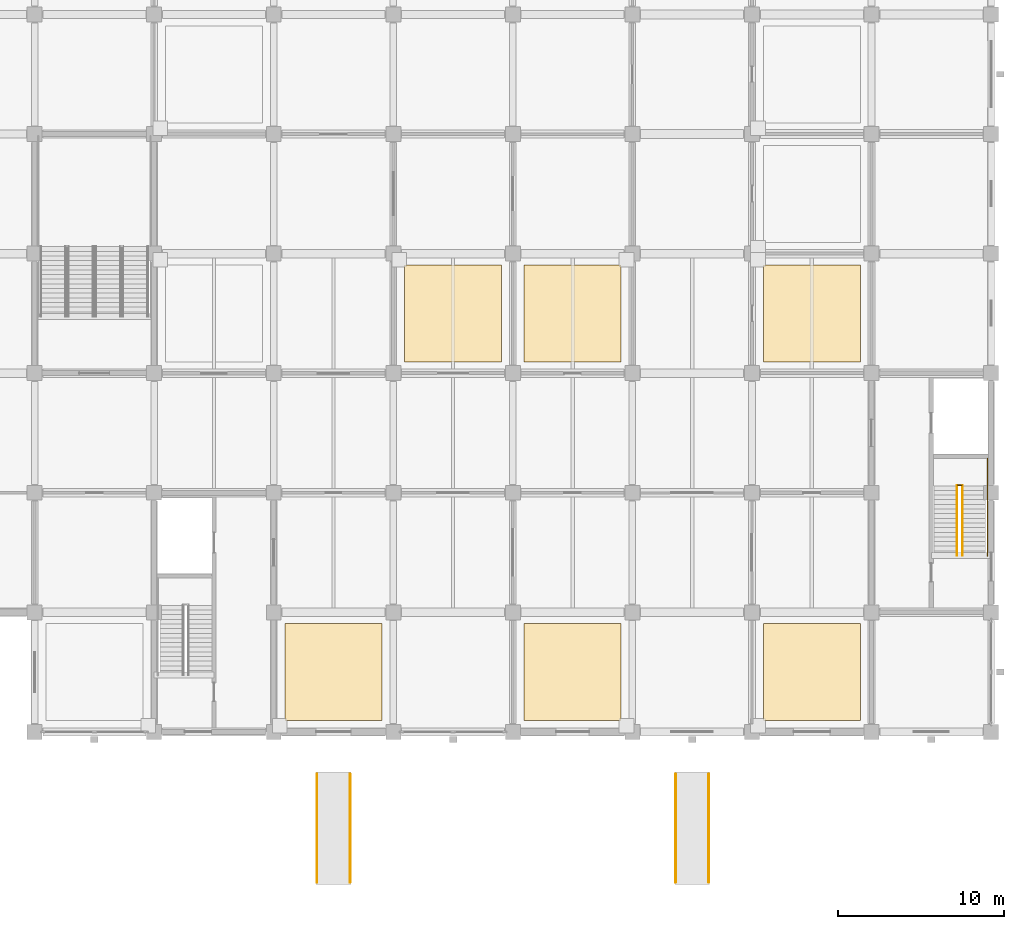
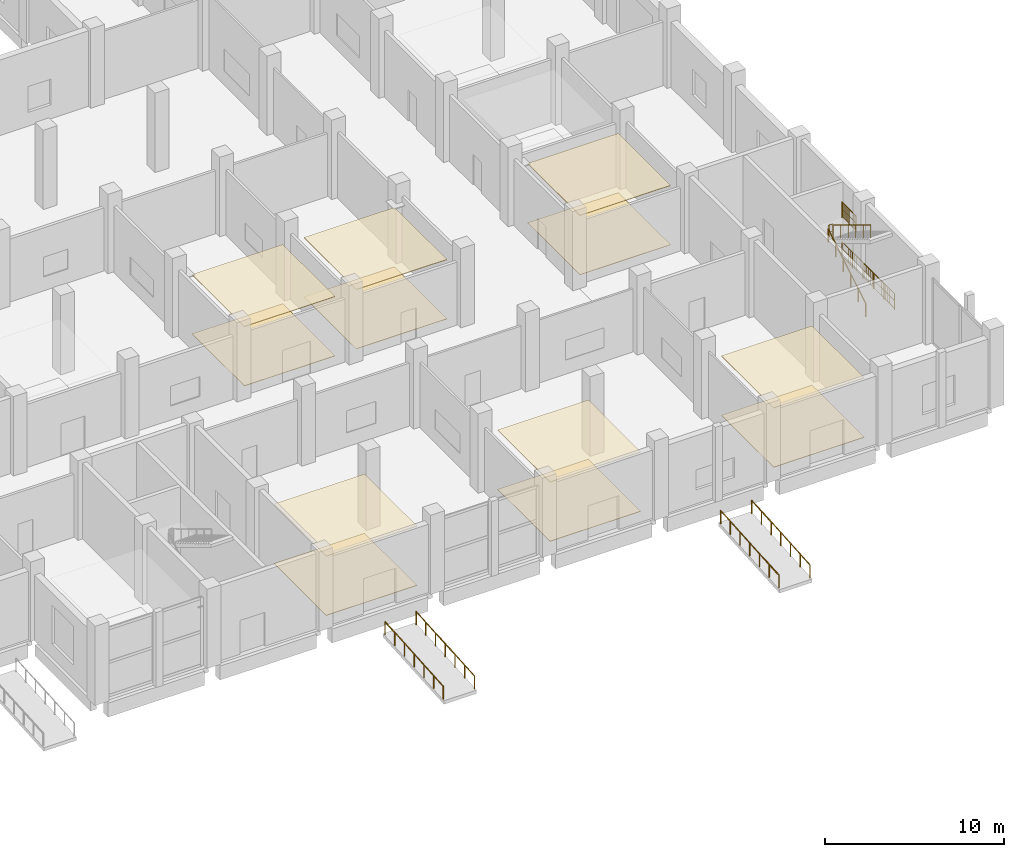
# One storey, part 66 of 70: 12 coverings, 9 railings.
"""IFC4 building model written with IfcOpenShell, lengths in metres."""

from ifc_helpers import new_model, si_unit, direction, frame, origin, origin_2d, place, context, subcontext, project, spatial, polyline, circle, outline, extrude, material, layer, layer_set, type_object, element, save


model = new_model("IFC4")

# Units and contexts
model_context = context("Model", 3, precision=1e-05, world=origin(), true_north=direction((0.0, 1.0)))
body_context = subcontext(model_context, "Body", "Model", "MODEL_VIEW")
ifc_project = project(units=[si_unit("LENGTHUNIT", "METRE"), si_unit("AREAUNIT", "SQUARE_METRE"), si_unit("VOLUMEUNIT", "CUBIC_METRE"), si_unit("PLANEANGLEUNIT", "RADIAN"), si_unit("MASSUNIT", "GRAM", prefix="KILO")], contexts=[model_context])

# Site, building, storey
site_placement = place(None, origin())
site = spatial("IfcSite", under=ifc_project, at=site_placement, CompositionType="ELEMENT")
building_placement = place(site_placement, origin())
building = spatial("IfcBuilding", under=site, at=building_placement, Name="Vesperath Aquatics Centre", CompositionType="ELEMENT")
storey_placement = place(building_placement, origin())
storey = spatial("IfcBuildingStorey", under=building, at=storey_placement, Name="L00", CompositionType="ELEMENT", Elevation=0.0)

# Coverings
ifc_material_1 = material(Name="Perforated moisture-resistant acoustic mineral-fibre ceiling", Category="gypsum")
ifc_layer_1 = layer(ifc_material_1, 0.044921875)
ifc_layer_set_1 = layer_set([ifc_layer_1], Name="Perforated moisture-resistant acoustic mineral-fibre ceiling")
covering_type_1 = type_object("IfcCoveringType", Name="CV-CLG01", PredefinedType="CEILING", material=ifc_layer_set_1)
covering_1_placement = place(storey_placement, frame((0.0, 0.0, 4.02490234375)))
element("IfcCovering", 1, at=covering_1_placement, inside=storey, type_object=covering_type_1, Name="Acoustic Suspended Ceiling CLG1 L00_CAFE_S", PredefinedType="CEILING", context=body_context, shape_type="SweptSolid", body=[
    extrude(outline(polyline([(130.280029296875, 0.679931640625), (136.1201171875, 0.679931640625), (136.1201171875, 6.52001953125), (130.280029296875, 6.52001953125), (130.280029296875, 0.679931640625)])), origin(), (0.0, 0.0, 1.0), 0.045166015625),
])
covering_2_placement = place(storey_placement, frame((0.0, 0.0, 4.02490234375)))
element("IfcCovering", 2, at=covering_2_placement, inside=storey, type_object=covering_type_1, Name="Acoustic Suspended Ceiling CLG1 L00_SHOP", PredefinedType="CEILING", context=body_context, shape_type="SweptSolid", body=[
    extrude(outline(polyline([(144.679931640625, 0.679931640625), (150.52001953125, 0.679931640625), (150.52001953125, 6.52001953125), (144.679931640625, 6.52001953125), (144.679931640625, 0.679931640625)])), origin(), (0.0, 0.0, 1.0), 0.045166015625),
])
covering_3_placement = place(storey_placement, frame((0.0, 0.0, 4.02490234375)))
element("IfcCovering", 3, at=covering_3_placement, inside=storey, type_object=covering_type_1, Name="Acoustic Suspended Ceiling CLG1 L00_FCC", PredefinedType="CEILING", context=body_context, shape_type="SweptSolid", body=[
    extrude(outline(polyline([(159.080078125, 0.679931640625), (164.919921875, 0.679931640625), (164.919921875, 6.52001953125), (159.080078125, 6.52001953125), (159.080078125, 0.679931640625)])), origin(), (0.0, 0.0, 1.0), 0.045166015625),
])
covering_4_placement = place(storey_placement, frame((0.0, 0.0, 4.02490234375)))
element("IfcCovering", 4, at=covering_4_placement, inside=storey, type_object=covering_type_1, Name="Acoustic Suspended Ceiling CLG1 L00_CLUB_REC", PredefinedType="CEILING", context=body_context, shape_type="SweptSolid", body=[
    extrude(outline(polyline([(137.47998046875, 22.280029296875), (143.320068359375, 22.280029296875), (143.320068359375, 28.1201171875), (137.47998046875, 28.1201171875), (137.47998046875, 22.280029296875)])), origin(), (0.0, 0.0, 1.0), 0.045166015625),
])
covering_5_placement = place(storey_placement, frame((0.0, 0.0, 4.02490234375)))
element("IfcCovering", 5, at=covering_5_placement, inside=storey, type_object=covering_type_1, Name="Acoustic Suspended Ceiling CLG1 L00_MWC", PredefinedType="CEILING", context=body_context, shape_type="SweptSolid", body=[
    extrude(outline(polyline([(159.080078125, 22.280029296875), (164.919921875, 22.280029296875), (164.919921875, 28.1201171875), (159.080078125, 28.1201171875), (159.080078125, 22.280029296875)])), origin(), (0.0, 0.0, 1.0), 0.045166015625),
])
covering_6_placement = place(storey_placement, frame((0.0, 0.0, 4.02490234375)))
element("IfcCovering", 6, at=covering_6_placement, inside=storey, type_object=covering_type_1, Name="Acoustic Suspended Ceiling CLG1 L00_AWC", PredefinedType="CEILING", context=body_context, shape_type="SweptSolid", body=[
    extrude(outline(polyline([(144.679931640625, 22.280029296875), (150.52001953125, 22.280029296875), (150.52001953125, 28.1201171875), (144.679931640625, 28.1201171875), (144.679931640625, 22.280029296875)])), origin(), (0.0, 0.0, 1.0), 0.045166015625),
])
ifc_material_2 = material(Name="Slip-resistant vitrified ceramic and terrazzo flooring", Category="ceramic")
ifc_layer_2 = layer(ifc_material_2, 0.030029296875)
ifc_layer_set_2 = layer_set([ifc_layer_2], Name="Slip-resistant vitrified ceramic and terrazzo flooring")
covering_type_2 = type_object("IfcCoveringType", Name="CV-FLR01", PredefinedType="FLOORING", material=ifc_layer_set_2)
covering_7_placement = place(storey_placement, origin())
element("IfcCovering", 7, at=covering_7_placement, inside=storey, type_object=covering_type_2, Name="Slip-Resistant Floor Finish FLR1 L00_CAFE_S", PredefinedType="FLOORING", context=body_context, shape_type="SweptSolid", body=[
    extrude(outline(polyline([(130.280029296875, 0.679931640625), (136.1201171875, 0.679931640625), (136.1201171875, 6.52001953125), (130.280029296875, 6.52001953125), (130.280029296875, 0.679931640625)])), origin(), (0.0, 0.0, 1.0), 0.030029296875),
])
covering_8_placement = place(storey_placement, origin())
element("IfcCovering", 8, at=covering_8_placement, inside=storey, type_object=covering_type_2, Name="Slip-Resistant Floor Finish FLR1 L00_SHOP", PredefinedType="FLOORING", context=body_context, shape_type="SweptSolid", body=[
    extrude(outline(polyline([(144.679931640625, 0.679931640625), (150.52001953125, 0.679931640625), (150.52001953125, 6.52001953125), (144.679931640625, 6.52001953125), (144.679931640625, 0.679931640625)])), origin(), (0.0, 0.0, 1.0), 0.030029296875),
])
covering_9_placement = place(storey_placement, origin())
element("IfcCovering", 9, at=covering_9_placement, inside=storey, type_object=covering_type_2, Name="Slip-Resistant Floor Finish FLR1 L00_FCC", PredefinedType="FLOORING", context=body_context, shape_type="SweptSolid", body=[
    extrude(outline(polyline([(159.080078125, 0.679931640625), (164.919921875, 0.679931640625), (164.919921875, 6.52001953125), (159.080078125, 6.52001953125), (159.080078125, 0.679931640625)])), origin(), (0.0, 0.0, 1.0), 0.030029296875),
])
covering_10_placement = place(storey_placement, origin())
element("IfcCovering", 10, at=covering_10_placement, inside=storey, type_object=covering_type_2, Name="Slip-Resistant Floor Finish FLR1 L00_CLUB_REC", PredefinedType="FLOORING", context=body_context, shape_type="SweptSolid", body=[
    extrude(outline(polyline([(137.47998046875, 22.280029296875), (143.320068359375, 22.280029296875), (143.320068359375, 28.1201171875), (137.47998046875, 28.1201171875), (137.47998046875, 22.280029296875)])), origin(), (0.0, 0.0, 1.0), 0.030029296875),
])
covering_11_placement = place(storey_placement, origin())
element("IfcCovering", 11, at=covering_11_placement, inside=storey, type_object=covering_type_2, Name="Slip-Resistant Floor Finish FLR1 L00_MWC", PredefinedType="FLOORING", context=body_context, shape_type="SweptSolid", body=[
    extrude(outline(polyline([(159.080078125, 22.280029296875), (164.919921875, 22.280029296875), (164.919921875, 28.1201171875), (159.080078125, 28.1201171875), (159.080078125, 22.280029296875)])), origin(), (0.0, 0.0, 1.0), 0.030029296875),
])
covering_12_placement = place(storey_placement, origin())
element("IfcCovering", 12, at=covering_12_placement, inside=storey, type_object=covering_type_2, Name="Slip-Resistant Floor Finish FLR1 L00_AWC", PredefinedType="FLOORING", context=body_context, shape_type="SweptSolid", body=[
    extrude(outline(polyline([(144.679931640625, 22.280029296875), (150.52001953125, 22.280029296875), (150.52001953125, 28.1201171875), (144.679931640625, 28.1201171875), (144.679931640625, 22.280029296875)])), origin(), (0.0, 0.0, 1.0), 0.030029296875),
])

# Railings
ifc_material_3 = material(Name="Powder-coated galvanized steel safety guard", Category="steel")
railing_type_1 = type_object("IfcRailingType", Name="RL-GRD01", PredefinedType="GUARDRAIL", material=ifc_material_3)
railing_1_placement = place(storey_placement, frame((170.780029296875, 14.860107421875, 2.699951171875)))
element("IfcRailing", 13, at=railing_1_placement, inside=storey, type_object=railing_type_1, Name="Stair ST6 Half-Landing Slot Guard GR02 L00", PredefinedType="GUARDRAIL", context=body_context, shape_type="SweptSolid", body=[
    extrude(circle(Radius=0.02392578125, at=origin_2d()), frame((0.0, 0.0, 1.0859375), z_axis=(1.0, 0.0, 0.0), x_axis=(0.0, 1.0, 0.0)), (0.0, 0.0, 1.0), 0.260009765625),
    extrude(circle(Radius=0.01611328125, at=origin_2d()), frame((0.0, 0.0, 0.10009765625), z_axis=(1.0, 0.0, 0.0), x_axis=(0.0, 1.0, 0.0)), (0.0, 0.0, 1.0), 0.260009765625),
    extrude(circle(Radius=0.01611328125, at=origin_2d()), frame((0.0, 0.0, 0.610595703125), z_axis=(1.0, 0.0, 0.0), x_axis=(0.0, 1.0, 0.0)), (0.0, 0.0, 1.0), 0.260009765625),
    extrude(circle(Radius=0.009033203125, at=origin_2d()), frame((0.086669921875, 0.0, 0.10009765625)), (0.0, 0.0, 1.0), 0.9619140625),
    extrude(circle(Radius=0.009033203125, at=origin_2d()), frame((0.17333984375, 0.0, 0.10009765625)), (0.0, 0.0, 1.0), 0.9619140625),
    extrude(circle(Radius=0.02197265625, at=origin_2d()), origin(), (0.0, 0.0, 1.0), 1.0859375),
    extrude(circle(Radius=0.02197265625, at=origin_2d()), frame((0.260009765625, 0.0, 0.0)), (0.0, 0.0, 1.0), 1.0859375),
])
railing_2_placement = place(storey_placement, frame((172.580078125, 14.860107421875, 2.699951171875)))
element("IfcRailing", 14, at=railing_2_placement, inside=storey, type_object=railing_type_1, Name="Stair ST6 Half-Landing Wall Guard GR02 L00", PredefinedType="GUARDRAIL", context=body_context, shape_type="SweptSolid", body=[
    extrude(circle(Radius=0.02392578125, at=origin_2d()), frame((0.0, 0.0, 1.0859375), z_axis=(0.0, 1.0, 0.0), x_axis=(-1.0, 0.0, 0.0)), (0.0, 0.0, 1.0), 1.599853515625),
    extrude(circle(Radius=0.01611328125, at=origin_2d()), frame((0.0, 0.0, 0.10009765625), z_axis=(0.0, 1.0, 0.0), x_axis=(-1.0, 0.0, 0.0)), (0.0, 0.0, 1.0), 1.599853515625),
    extrude(circle(Radius=0.01611328125, at=origin_2d()), frame((0.0, 0.0, 0.610595703125), z_axis=(0.0, 1.0, 0.0), x_axis=(-1.0, 0.0, 0.0)), (0.0, 0.0, 1.0), 1.599853515625),
    extrude(circle(Radius=0.009033203125, at=origin_2d()), frame((0.0, 0.106689453125, 0.10009765625)), (0.0, 0.0, 1.0), 0.9619140625),
    extrude(circle(Radius=0.009033203125, at=origin_2d()), frame((0.0, 0.21337890625, 0.10009765625)), (0.0, 0.0, 1.0), 0.9619140625),
    extrude(circle(Radius=0.009033203125, at=origin_2d()), frame((0.0, 0.320068359375, 0.10009765625)), (0.0, 0.0, 1.0), 0.9619140625),
    extrude(circle(Radius=0.009033203125, at=origin_2d()), frame((0.0, 0.426513671875, 0.10009765625)), (0.0, 0.0, 1.0), 0.9619140625),
    extrude(circle(Radius=0.009033203125, at=origin_2d()), frame((0.0, 0.533203125, 0.10009765625)), (0.0, 0.0, 1.0), 0.9619140625),
    extrude(circle(Radius=0.009033203125, at=origin_2d()), frame((0.0, 0.639892578125, 0.10009765625)), (0.0, 0.0, 1.0), 0.9619140625),
    extrude(circle(Radius=0.009033203125, at=origin_2d()), frame((0.0, 0.74658203125, 0.10009765625)), (0.0, 0.0, 1.0), 0.9619140625),
    extrude(circle(Radius=0.009033203125, at=origin_2d()), frame((0.0, 0.853271484375, 0.10009765625)), (0.0, 0.0, 1.0), 0.9619140625),
    extrude(circle(Radius=0.009033203125, at=origin_2d()), frame((0.0, 0.9599609375, 0.10009765625)), (0.0, 0.0, 1.0), 0.9619140625),
    extrude(circle(Radius=0.009033203125, at=origin_2d()), frame((0.0, 1.066650390625, 0.10009765625)), (0.0, 0.0, 1.0), 0.9619140625),
    extrude(circle(Radius=0.009033203125, at=origin_2d()), frame((0.0, 1.17333984375, 0.10009765625)), (0.0, 0.0, 1.0), 0.9619140625),
    extrude(circle(Radius=0.009033203125, at=origin_2d()), frame((0.0, 1.27978515625, 0.10009765625)), (0.0, 0.0, 1.0), 0.9619140625),
    extrude(circle(Radius=0.009033203125, at=origin_2d()), frame((0.0, 1.386474609375, 0.10009765625)), (0.0, 0.0, 1.0), 0.9619140625),
    extrude(circle(Radius=0.009033203125, at=origin_2d()), frame((0.0, 1.4931640625, 0.10009765625)), (0.0, 0.0, 1.0), 0.9619140625),
    extrude(circle(Radius=0.02197265625, at=origin_2d()), origin(), (0.0, 0.0, 1.0), 1.0859375),
    extrude(circle(Radius=0.02197265625, at=origin_2d()), frame((0.0, 0.7998046875, 0.0)), (0.0, 0.0, 1.0), 1.0859375),
    extrude(circle(Radius=0.02197265625, at=origin_2d()), frame((0.0, 1.599853515625, 0.0)), (0.0, 0.0, 1.0), 1.0859375),
])
railing_3_placement = place(storey_placement, frame((172.580078125, 10.60009765625, 0.0)))
element("IfcRailing", 15, at=railing_3_placement, inside=storey, type_object=railing_type_1, Name="Stair ST6 Shaft Side Guard GR02 L00", PredefinedType="GUARDRAIL", context=body_context, shape_type="SweptSolid", body=[
    extrude(circle(Radius=0.02392578125, at=origin_2d()), frame((0.0, 0.0, 1.0859375), z_axis=(0.0, 1.0, 0.0), x_axis=(-1.0, 0.0, 0.0)), (0.0, 0.0, 1.0), 5.83984375),
    extrude(circle(Radius=0.01611328125, at=origin_2d()), frame((0.0, 0.0, 0.10009765625), z_axis=(0.0, 1.0, 0.0), x_axis=(-1.0, 0.0, 0.0)), (0.0, 0.0, 1.0), 5.83984375),
    extrude(circle(Radius=0.01611328125, at=origin_2d()), frame((0.0, 0.0, 0.610595703125), z_axis=(0.0, 1.0, 0.0), x_axis=(-1.0, 0.0, 0.0)), (0.0, 0.0, 1.0), 5.83984375),
    extrude(circle(Radius=0.009033203125, at=origin_2d()), frame((0.0, 0.108154296875, 0.10009765625)), (0.0, 0.0, 1.0), 0.9619140625),
    extrude(circle(Radius=0.009033203125, at=origin_2d()), frame((0.0, 0.324462890625, 0.10009765625)), (0.0, 0.0, 1.0), 0.9619140625),
    extrude(circle(Radius=0.009033203125, at=origin_2d()), frame((0.0, 0.540771484375, 0.10009765625)), (0.0, 0.0, 1.0), 0.9619140625),
    extrude(circle(Radius=0.009033203125, at=origin_2d()), frame((0.0, 0.757080078125, 0.10009765625)), (0.0, 0.0, 1.0), 0.9619140625),
    extrude(circle(Radius=0.009033203125, at=origin_2d()), frame((0.0, 0.973388671875, 0.10009765625)), (0.0, 0.0, 1.0), 0.9619140625),
    extrude(circle(Radius=0.009033203125, at=origin_2d()), frame((0.0, 1.189697265625, 0.10009765625)), (0.0, 0.0, 1.0), 0.9619140625),
    extrude(circle(Radius=0.009033203125, at=origin_2d()), frame((0.0, 1.406005859375, 0.10009765625)), (0.0, 0.0, 1.0), 0.9619140625),
    extrude(circle(Radius=0.009033203125, at=origin_2d()), frame((0.0, 1.6220703125, 0.10009765625)), (0.0, 0.0, 1.0), 0.9619140625),
    extrude(circle(Radius=0.009033203125, at=origin_2d()), frame((0.0, 1.83837890625, 0.10009765625)), (0.0, 0.0, 1.0), 0.9619140625),
    extrude(circle(Radius=0.009033203125, at=origin_2d()), frame((0.0, 2.0546875, 0.10009765625)), (0.0, 0.0, 1.0), 0.9619140625),
    extrude(circle(Radius=0.009033203125, at=origin_2d()), frame((0.0, 2.27099609375, 0.10009765625)), (0.0, 0.0, 1.0), 0.9619140625),
    extrude(circle(Radius=0.009033203125, at=origin_2d()), frame((0.0, 2.4873046875, 0.10009765625)), (0.0, 0.0, 1.0), 0.9619140625),
    extrude(circle(Radius=0.009033203125, at=origin_2d()), frame((0.0, 2.70361328125, 0.10009765625)), (0.0, 0.0, 1.0), 0.9619140625),
    extrude(circle(Radius=0.009033203125, at=origin_2d()), frame((0.0, 2.919921875, 0.10009765625)), (0.0, 0.0, 1.0), 0.9619140625),
    extrude(circle(Radius=0.009033203125, at=origin_2d()), frame((0.0, 3.13623046875, 0.10009765625)), (0.0, 0.0, 1.0), 0.9619140625),
    extrude(circle(Radius=0.009033203125, at=origin_2d()), frame((0.0, 3.3525390625, 0.10009765625)), (0.0, 0.0, 1.0), 0.9619140625),
    extrude(circle(Radius=0.009033203125, at=origin_2d()), frame((0.0, 3.56884765625, 0.10009765625)), (0.0, 0.0, 1.0), 0.9619140625),
    extrude(circle(Radius=0.009033203125, at=origin_2d()), frame((0.0, 3.78515625, 0.10009765625)), (0.0, 0.0, 1.0), 0.9619140625),
    extrude(circle(Radius=0.009033203125, at=origin_2d()), frame((0.0, 4.00146484375, 0.10009765625)), (0.0, 0.0, 1.0), 0.9619140625),
    extrude(circle(Radius=0.009033203125, at=origin_2d()), frame((0.0, 4.2177734375, 0.10009765625)), (0.0, 0.0, 1.0), 0.9619140625),
    extrude(circle(Radius=0.009033203125, at=origin_2d()), frame((0.0, 4.433837890625, 0.10009765625)), (0.0, 0.0, 1.0), 0.9619140625),
    extrude(circle(Radius=0.009033203125, at=origin_2d()), frame((0.0, 4.650146484375, 0.10009765625)), (0.0, 0.0, 1.0), 0.9619140625),
    extrude(circle(Radius=0.009033203125, at=origin_2d()), frame((0.0, 4.866455078125, 0.10009765625)), (0.0, 0.0, 1.0), 0.9619140625),
    extrude(circle(Radius=0.009033203125, at=origin_2d()), frame((0.0, 5.082763671875, 0.10009765625)), (0.0, 0.0, 1.0), 0.9619140625),
    extrude(circle(Radius=0.009033203125, at=origin_2d()), frame((0.0, 5.299072265625, 0.10009765625)), (0.0, 0.0, 1.0), 0.9619140625),
    extrude(circle(Radius=0.009033203125, at=origin_2d()), frame((0.0, 5.515380859375, 0.10009765625)), (0.0, 0.0, 1.0), 0.9619140625),
    extrude(circle(Radius=0.009033203125, at=origin_2d()), frame((0.0, 5.731689453125, 0.10009765625)), (0.0, 0.0, 1.0), 0.9619140625),
    extrude(circle(Radius=0.02197265625, at=origin_2d()), origin(), (0.0, 0.0, 1.0), 1.0859375),
    extrude(circle(Radius=0.02197265625, at=origin_2d()), frame((0.0, 1.16796875, 0.0)), (0.0, 0.0, 1.0), 1.0859375),
    extrude(circle(Radius=0.02197265625, at=origin_2d()), frame((0.0, 2.3359375, 0.0)), (0.0, 0.0, 1.0), 1.0859375),
    extrude(circle(Radius=0.02197265625, at=origin_2d()), frame((0.0, 3.50390625, 0.0)), (0.0, 0.0, 1.0), 1.0859375),
    extrude(circle(Radius=0.02197265625, at=origin_2d()), frame((0.0, 4.671875, 0.0)), (0.0, 0.0, 1.0), 1.0859375),
    extrude(circle(Radius=0.02197265625, at=origin_2d()), frame((0.0, 5.83984375, 0.0)), (0.0, 0.0, 1.0), 1.0859375),
])
ifc_material_4 = material(Name="Brushed stainless steel tubular handrail", Category="steel")
railing_type_2 = type_object("IfcRailingType", Name="RL-HND01", PredefinedType="HANDRAIL", material=ifc_material_4)
railing_4_placement = place(storey_placement, frame((170.75, 10.6201171875, 0.168701171875)))
element("IfcRailing", 16, at=railing_4_placement, inside=storey, type_object=railing_type_2, Name="Stair ST6 Flight 1 Handrail HR01 L00", PredefinedType="HANDRAIL", context=body_context, shape_type="SweptSolid", body=[
    extrude(circle(Radius=0.02392578125, at=origin_2d()), frame((0.0, 0.0, 0.8759765625), z_axis=(0.0, 0.856476492594, 0.516186030065), x_axis=(-1.0, 0.0, 0.0)), (0.0, 0.0, 1.0), 4.90380859375),
    extrude(circle(Radius=0.02197265625, at=origin_2d()), origin(), (0.0, 0.0, 1.0), 0.8759765625),
    extrude(circle(Radius=0.02197265625, at=origin_2d()), frame((0.0, 0.840087890625, 0.50634765625)), (0.0, 0.0, 1.0), 0.8759765625),
    extrude(circle(Radius=0.02197265625, at=origin_2d()), frame((0.0, 1.679931640625, 1.012451171875)), (0.0, 0.0, 1.0), 0.8759765625),
    extrude(circle(Radius=0.02197265625, at=origin_2d()), frame((0.0, 2.52001953125, 1.518798828125)), (0.0, 0.0, 1.0), 0.8759765625),
    extrude(circle(Radius=0.02197265625, at=origin_2d()), frame((0.0, 3.35986328125, 2.02490234375)), (0.0, 0.0, 1.0), 0.8759765625),
    extrude(circle(Radius=0.02197265625, at=origin_2d()), frame((0.0, 4.199951171875, 2.53125)), (0.0, 0.0, 1.0), 0.8759765625),
])
railing_5_placement = place(storey_placement, frame((171.070068359375, 14.820068359375, 2.86865234375)))
element("IfcRailing", 17, at=railing_5_placement, inside=storey, type_object=railing_type_2, Name="Stair ST6 Flight 2 Handrail HR01 L00", PredefinedType="HANDRAIL", context=body_context, shape_type="SweptSolid", body=[
    extrude(circle(Radius=0.02392578125, at=origin_2d()), frame((0.0, 0.0, 0.8759765625), z_axis=(0.0, -0.856476492594, 0.516186030065), x_axis=(1.0, 0.0, 0.0)), (0.0, 0.0, 1.0), 4.90380859375),
    extrude(circle(Radius=0.02197265625, at=origin_2d()), origin(), (0.0, 0.0, 1.0), 0.8759765625),
    extrude(circle(Radius=0.02197265625, at=origin_2d()), frame((0.0, -0.840087890625, 0.50634765625)), (0.0, 0.0, 1.0), 0.8759765625),
    extrude(circle(Radius=0.02197265625, at=origin_2d()), frame((0.0, -1.679931640625, 1.012451171875)), (0.0, 0.0, 1.0), 0.8759765625),
    extrude(circle(Radius=0.02197265625, at=origin_2d()), frame((0.0, -2.52001953125, 1.518798828125)), (0.0, 0.0, 1.0), 0.8759765625),
    extrude(circle(Radius=0.02197265625, at=origin_2d()), frame((0.0, -3.35986328125, 2.02490234375)), (0.0, 0.0, 1.0), 0.8759765625),
    extrude(circle(Radius=0.02197265625, at=origin_2d()), frame((0.0, -4.199951171875, 2.53125)), (0.0, 0.0, 1.0), 0.8759765625),
])
ifc_material_5 = material(Name="Brushed stainless steel ramp handrail", Category="steel")
railing_type_3 = type_object("IfcRailingType", Name="RL-HND02", PredefinedType="HANDRAIL", material=ifc_material_5)
for number, where, name in (
    (18, (132.199951171875, -9.050048828125, -0.449951171875), "Accessible Ramp Handrail HR02 RMP_V4_S-L"),
    (19, (134.199951171875, -9.050048828125, -0.449951171875), "Accessible Ramp Handrail HR02 RMP_V4_S-R"),
    (20, (153.800048828125, -9.050048828125, -0.449951171875), "Accessible Ramp Handrail HR02 RMP_V4_E-L"),
    (21, (155.800048828125, -9.050048828125, -0.449951171875), "Accessible Ramp Handrail HR02 RMP_V4_E-R"),
):
    element("IfcRailing", number, at=place(storey_placement, frame(where)), inside=storey, type_object=railing_type_3, Name=name, PredefinedType="HANDRAIL", context=body_context, shape_type="SweptSolid", body=[
        extrude(circle(Radius=0.02392578125, at=origin_2d()), frame((0.0, 0.0, 0.8759765625), z_axis=(0.0, 0.997612646808, 0.069057996847), x_axis=(-1.0, 0.0, 0.0)), (0.0, 0.0, 1.0), 6.515625),
        extrude(circle(Radius=0.02197265625, at=origin_2d()), origin(), (0.0, 0.0, 1.0), 0.8759765625),
        extrude(circle(Radius=0.02197265625, at=origin_2d()), frame((0.0, 1.083251953125, 0.074951171875)), (0.0, 0.0, 1.0), 0.8759765625),
        extrude(circle(Radius=0.02197265625, at=origin_2d()), frame((0.0, 2.166748046875, 0.14990234375)), (0.0, 0.0, 1.0), 0.8759765625),
        extrude(circle(Radius=0.02197265625, at=origin_2d()), frame((0.0, 3.25, 0.22509765625)), (0.0, 0.0, 1.0), 0.8759765625),
        extrude(circle(Radius=0.02197265625, at=origin_2d()), frame((0.0, 4.333251953125, 0.300048828125)), (0.0, 0.0, 1.0), 0.8759765625),
        extrude(circle(Radius=0.02197265625, at=origin_2d()), frame((0.0, 5.416748046875, 0.375)), (0.0, 0.0, 1.0), 0.8759765625),
        extrude(circle(Radius=0.02197265625, at=origin_2d()), frame((0.0, 6.5, 0.449951171875)), (0.0, 0.0, 1.0), 0.8759765625),
    ])

save(model, "model.ifc")
